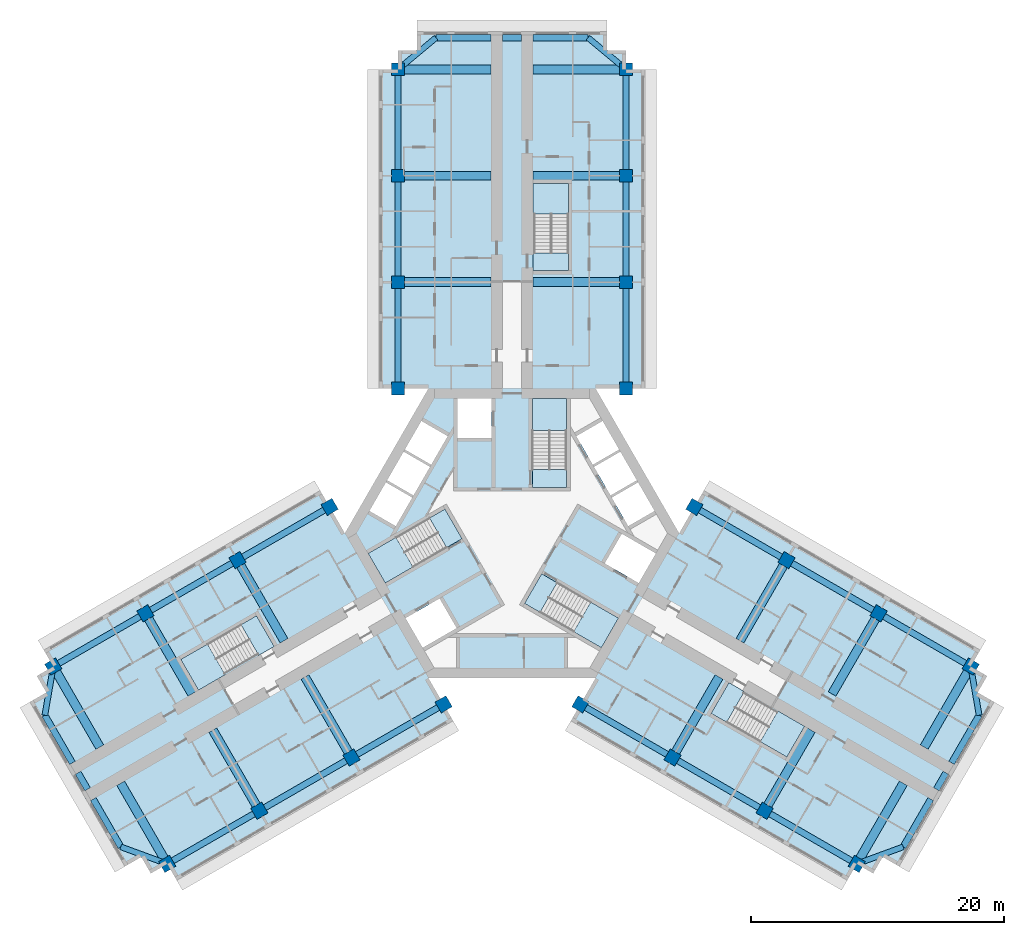
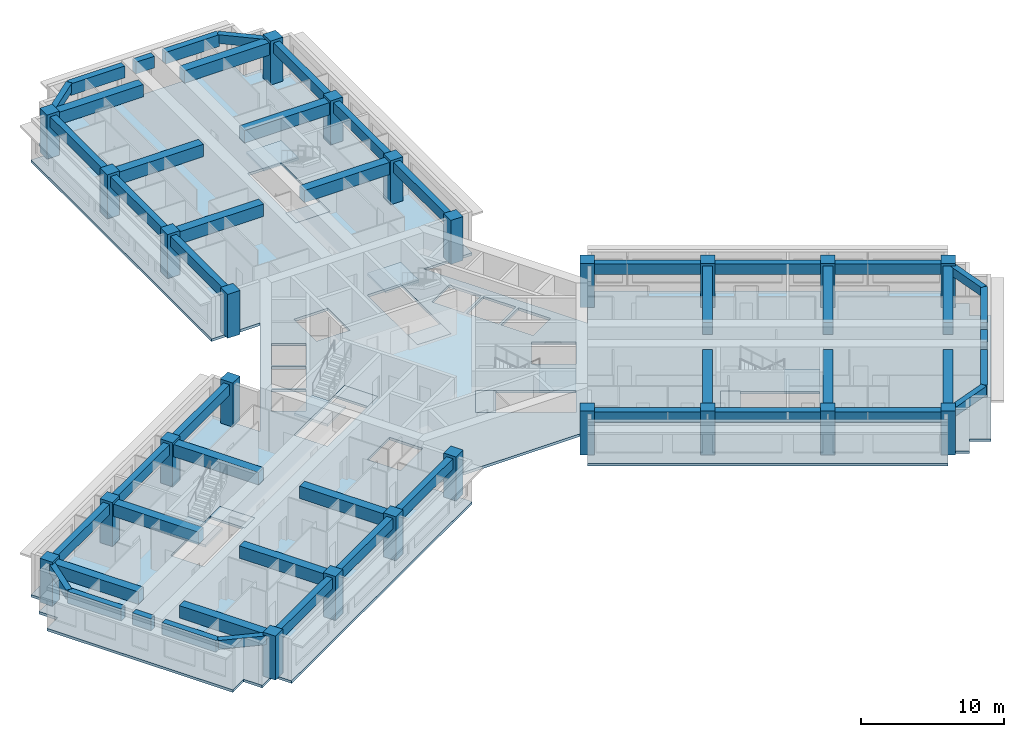
# One storey, part 1 of 12: 51 beams, 24 columns, 13 slabs, 6 elements without a shape of their own.
"""IFC4 building model written with IfcOpenShell, lengths in metres."""

import ifcopenshell
import ifcopenshell.guid

model = None  # the IFC model being written
_history = None  # IfcOwnerHistory: only IFC2X3 demands one
_inside = {}  # id of a spatial element -> (the spatial element, [elements in it])
_under = {}  # id of a project, library or spatial element -> (it, [spatial elements below it])
_declared = {}  # id of a project -> (the project, [libraries it declares])
_typed = {}  # id of a type object -> (the type object, [elements of that type])
_made_of = {}  # id of a material, layer set ... -> (it, [elements and type objects made of it])


def new_model(schema):
    """Start an empty IFC model of exactly this schema.

    Asked for "IFC4X3", IfcOpenShell would pick the latest addendum, in which some entities
    have other attributes; the version numbers below select the first issue.
    IFC2X3 requires an IfcOwnerHistory on every rooted entity: one is made here for all.
    """
    global model, _history
    if schema == "IFC4X3":
        model = ifcopenshell.file(schema_version=(4, 3, 0, 0))
    else:
        model = ifcopenshell.file(schema=schema)
    _inside.clear()
    _under.clear()
    _declared.clear()
    _typed.clear()
    _made_of.clear()
    _history = None
    if model.schema == "IFC2X3":
        org = make("IfcOrganization", Name="unknown")
        user = make(
            "IfcPersonAndOrganization",
            ThePerson=make("IfcPerson", FamilyName="unknown"),
            TheOrganization=org,
        )
        app = make(
            "IfcApplication",
            ApplicationDeveloper=org,
            Version="unknown",
            ApplicationFullName="unknown",
            ApplicationIdentifier="unknown",
        )
        _history = make(
            "IfcOwnerHistory",
            OwningUser=user,
            OwningApplication=app,
            ChangeAction="ADDED",
            CreationDate=0,
        )
    return model


def make(cls, **values):
    """One entity of the class cls with the attributes given. An attribute that is None is left unset."""
    return model.create_entity(
        cls, **{name: value for name, value in values.items() if value is not None}
    )


def rooted(cls, **values):
    """An entity with a GlobalId (a new one), such as an element, a storey or a relation."""
    return make(cls, GlobalId=ifcopenshell.guid.new(), OwnerHistory=_history, **values)


def si_unit(unit_type, name, prefix=None):
    """IfcSIUnit, for example si_unit("LENGTHUNIT", "METRE", prefix="MILLI")."""
    return make("IfcSIUnit", UnitType=unit_type, Prefix=prefix, Name=name)


def assignment(units):
    """IfcUnitAssignment: the units of a project."""
    return None if units is None else make("IfcUnitAssignment", Units=units)


def point(xyz):
    """IfcCartesianPoint."""
    return None if xyz is None else make("IfcCartesianPoint", Coordinates=xyz)


def direction(xyz):
    """IfcDirection."""
    return None if xyz is None else make("IfcDirection", DirectionRatios=xyz)


def frame(location, z_axis=None, x_axis=None):
    """IfcAxis2Placement3D, a coordinate frame: its origin and axes. An axis left out is left unset."""
    return make(
        "IfcAxis2Placement3D",
        Location=point(location),
        Axis=direction(z_axis),
        RefDirection=direction(x_axis),
    )


def frame_2d(location, x_axis=None):
    """IfcAxis2Placement2D, a coordinate frame in the plane: its origin and x axis."""
    return make(
        "IfcAxis2Placement2D", Location=point(location), RefDirection=direction(x_axis)
    )


def origin():
    """The frame at (0, 0, 0) with its axes left unset."""
    return frame((0.0, 0.0, 0.0))


def origin_2d():
    """The frame at (0, 0) in the plane with its x axis left unset."""
    return frame_2d((0.0, 0.0))


def place(relative_to, where):
    """IfcLocalPlacement: puts the frame where relative to a parent placement (None: the world)."""
    return make(
        "IfcLocalPlacement", PlacementRelTo=relative_to, RelativePlacement=where
    )


def context(
    kind, dimensions, precision=None, world=None, true_north=None, identifier=None
):
    """IfcGeometricRepresentationContext, for example the 3D "Model" context."""
    return make(
        "IfcGeometricRepresentationContext",
        ContextIdentifier=identifier,
        ContextType=kind,
        CoordinateSpaceDimension=dimensions,
        Precision=precision,
        WorldCoordinateSystem=world,
        TrueNorth=true_north,
    )


def subcontext(parent, identifier, kind, view, scale=None):
    """IfcGeometricRepresentationSubContext, for example "Body" below "Model"."""
    return make(
        "IfcGeometricRepresentationSubContext",
        ContextIdentifier=identifier,
        ContextType=kind,
        ParentContext=parent,
        TargetScale=scale,
        TargetView=view,
    )


def project(units=None, contexts=None):
    """IfcProject with its units and contexts."""
    return rooted(
        "IfcProject",
        Name="project",
        RepresentationContexts=contexts,
        UnitsInContext=assignment(units),
    )


def spatial(cls, under=None, at=None, **own):
    """A site, building, storey or space (cls), placed at a placement, below another one or the project."""
    s = rooted(cls, ObjectPlacement=at, **own)
    if under is not None:
        _under.setdefault(under.id(), (under, []))[1].append(s)
    return s


def polyline(points):
    """IfcPolyline through the points."""
    return make("IfcPolyline", Points=[point(p) for p in points])


def profile(cls, at=None, kind="AREA", **sizes):
    """A parametric profile (cls). Its sizes go by their IFC names, for example OverallWidth=200.0."""
    return make(cls, ProfileType=kind, Position=at, **sizes)


def rectangle(**sizes):
    """IfcRectangleProfileDef."""
    return profile("IfcRectangleProfileDef", **sizes)


def outline(outer, holes=None, kind="AREA"):
    """IfcArbitraryClosedProfileDef: a profile drawn as a closed curve; with holes, ...WithVoids."""
    if holes is None:
        return make("IfcArbitraryClosedProfileDef", ProfileType=kind, OuterCurve=outer)
    return make(
        "IfcArbitraryProfileDefWithVoids",
        ProfileType=kind,
        OuterCurve=outer,
        InnerCurves=holes,
    )


def extrude(swept, where, along, depth):
    """IfcExtrudedAreaSolid: the profile swept, set in the frame where, extruded along a direction by depth."""
    return make(
        "IfcExtrudedAreaSolid",
        SweptArea=swept,
        Position=where,
        ExtrudedDirection=direction(along),
        Depth=depth,
    )


def shape(context_of_items, identifier, shape_type, items):
    """IfcShapeRepresentation: the items that make up one representation, for example the "Body"."""
    return make(
        "IfcShapeRepresentation",
        ContextOfItems=context_of_items,
        RepresentationIdentifier=identifier,
        RepresentationType=shape_type,
        Items=items,
    )


def material(Name=None, Category=None):
    """IfcMaterial."""
    return make("IfcMaterial", Name=Name, Category=Category)


def layer(
    of_material, thickness, ventilated=None, Name=None, Category=None, Priority=None
):
    """IfcMaterialLayer: one layer of a wall or slab, of a material (None: an air gap)."""
    return make(
        "IfcMaterialLayer",
        Material=of_material,
        LayerThickness=thickness,
        IsVentilated=ventilated,
        Name=Name,
        Category=Category,
        Priority=Priority,
    )


def layer_set(layers, Name=None):
    """IfcMaterialLayerSet."""
    return make("IfcMaterialLayerSet", MaterialLayers=layers, LayerSetName=Name)


def material_profile(
    of_material, cross_section, Name=None, Category=None, Priority=None
):
    """IfcMaterialProfile: a cross section and its material."""
    return make(
        "IfcMaterialProfile",
        Name=Name,
        Material=of_material,
        Profile=cross_section,
        Priority=Priority,
        Category=Category,
    )


def profile_set(profiles, Name=None, composite=None):
    """IfcMaterialProfileSet."""
    return make(
        "IfcMaterialProfileSet",
        Name=Name,
        MaterialProfiles=profiles,
        CompositeProfile=composite,
    )


def made_of(thing, what):
    """Note that an element or type object is made of a material, layer set ...; save() writes the relation."""
    if what is not None:
        _made_of.setdefault(what.id(), (what, []))[1].append(thing)
    return thing


def type_object(cls, material=None, **own):
    """A type object (cls), such as IfcWallType, which elements share."""
    return made_of(rooted(cls, **own), material)


def element(
    cls,
    number,
    at=None,
    inside=None,
    cuts=None,
    type_object=None,
    material=None,
    context=None,
    identifier="Body",
    shape_type=None,
    held_by="IfcProductDefinitionShape",
    body=None,
    shapes=None,
    **own,
):
    """One element of the class cls, such as IfcWall. Its Tag is "e" and its number.

    at: its placement. inside: the storey or other place that contains it. cuts: it is an
    opening in that element (IfcRelVoidsElement). A single representation is given by context,
    identifier, shape_type and body (its items); several are given by shapes. held_by: the class
    of the entity that holds the representations. save() writes the other relations.
    """
    e = rooted(cls, Tag="e%d" % number, ObjectPlacement=at, **own)
    if body is not None:
        shapes = [shape(context, identifier, shape_type, body)]
    if shapes is not None:
        e.Representation = make(held_by, Representations=shapes)
    if inside is not None:
        _inside.setdefault(inside.id(), (inside, []))[1].append(e)
    if cuts is not None:
        rooted(
            "IfcRelVoidsElement", RelatingBuildingElement=cuts, RelatedOpeningElement=e
        )
    if type_object is not None:
        _typed.setdefault(type_object.id(), (type_object, []))[1].append(e)
    return made_of(e, material)


def aggregate(whole, parts):
    """IfcRelAggregates: a whole, such as a stair, and the parts it consists of."""
    return rooted("IfcRelAggregates", RelatingObject=whole, RelatedObjects=parts)


def save(model, path):
    """Write the relations noted so far, then the file.

    IfcRelAggregates (storeys below a building ...), IfcRelContainedInSpatialStructure (elements
    in a storey), IfcRelDefinesByType, IfcRelAssociatesMaterial and IfcRelDeclares: one each for
    every whole, place, type object, material and project.
    """
    for whole, parts in _under.values():
        aggregate(whole, parts)
    for where, things in _inside.values():
        rooted(
            "IfcRelContainedInSpatialStructure",
            RelatedElements=things,
            RelatingStructure=where,
        )
    for kind, things in _typed.values():
        rooted("IfcRelDefinesByType", RelatedObjects=things, RelatingType=kind)
    for what, things in _made_of.values():
        rooted("IfcRelAssociatesMaterial", RelatedObjects=things, RelatingMaterial=what)
    for by, libraries in _declared.values():
        rooted("IfcRelDeclares", RelatingContext=by, RelatedDefinitions=libraries)
    model.write(path)


model = new_model("IFC4")

# Units and contexts
model_context = context("Model", 3, precision=1e-05, world=origin(), true_north=direction((0.0, 1.0)))
body_context = subcontext(model_context, "Body", "Model", "MODEL_VIEW")
ifc_project = project(units=[si_unit("LENGTHUNIT", "METRE"), si_unit("AREAUNIT", "SQUARE_METRE"), si_unit("VOLUMEUNIT", "CUBIC_METRE"), si_unit("PLANEANGLEUNIT", "RADIAN"), si_unit("MASSUNIT", "GRAM", prefix="KILO")], contexts=[model_context])

# Site, building, storey
site_placement = place(None, origin())
site = spatial("IfcSite", under=ifc_project, at=site_placement, CompositionType="ELEMENT")
building_placement = place(site_placement, origin())
building = spatial("IfcBuilding", under=site, at=building_placement, Name="Impinga Residences", CompositionType="ELEMENT")
storey_placement = place(building_placement, frame((0.0, 0.0, 173.5)))
storey = spatial("IfcBuildingStorey", under=building, at=storey_placement, Name="L43", CompositionType="ELEMENT", Elevation=173.5)

# Columns
ifc_material_1 = material(Name="Concrete C60/75", Category="concrete")
ifc_material_profile_1 = material_profile(ifc_material_1, rectangle(XDim=1.0, YDim=1.0, at=origin_2d()), Name="RC 1000x1000")
ifc_profile_set_1 = profile_set([ifc_material_profile_1], Name="Concrete C60/75")
column_type = type_object("IfcColumnType", Name="C3 1000x1000 column", PredefinedType="COLUMN", material=ifc_profile_set_1)
for number, where, z_axis, x_axis, name in (
    (1, (-9.0, 11.431640625, 0.0), (0.0, 0.0, 1.0), (1.0, 0.0, 0.0), "Column C3 N1/NA L43"),
    (2, (9.0, 11.431640625, 0.0), (0.0, 0.0, 1.0), (1.0, 0.0, 0.0), "Column C3 N1/NF L43"),
    (3, (-9.0, 19.83154296875, 0.0), (0.0, 0.0, 1.0), (1.0, 0.0, 0.0), "Column C3 N2/NA L43"),
    (4, (9.0, 19.83154296875, 0.0), (0.0, 0.0, 1.0), (1.0, 0.0, 0.0), "Column C3 N2/NF L43"),
    (5, (-9.0, 28.2314453125, 0.0), (0.0, 0.0, 1.0), (1.0, 0.0, 0.0), "Column C3 N3/NA L43"),
    (6, (9.0, 28.2314453125, 0.0), (0.0, 0.0, 1.0), (1.0, 0.0, 0.0), "Column C3 N3/NF L43"),
    (7, (-9.0, 36.631591796875, 0.0), (0.0, 0.0, 1.0), (1.0, 0.0, 0.0), "Column C3 N4/NA L43"),
    (8, (9.0, 36.631591796875, 0.0), (0.0, 0.0, 1.0), (1.0, 0.0, 0.0), "Column C3 N4/NF L43"),
    (9, (-5.39990234375, -13.510009765625, 0.0), (0.0, 0.0, 1.0), (-0.5, 0.866025403784, 0.0), "Column C3 W1/WA L43"),
    (10, (-14.39990234375, 2.078369140625, 0.0), (0.0, 0.0, 1.0), (-0.5, 0.866025403784, 0.0), "Column C3 W1/WF L43"),
    (11, (-12.674560546875, -17.7099609375, 0.0), (0.0, 0.0, 1.0), (-0.5, 0.866025403784, 0.0), "Column C3 W2/WA L43"),
    (12, (-21.674560546875, -2.12158203125, 0.0), (0.0, 0.0, 1.0), (-0.5, 0.866025403784, 0.0), "Column C3 W2/WF L43"),
    (13, (-19.94921875, -21.909912109375, 0.0), (0.0, 0.0, 1.0), (-0.5, 0.866025403784, 0.0), "Column C3 W3/WA L43"),
    (14, (-28.94921875, -6.321533203125, 0.0), (0.0, 0.0, 1.0), (-0.5, 0.866025403784, 0.0), "Column C3 W3/WF L43"),
    (15, (-27.223876953125, -26.110107421875, 0.0), (0.0, 0.0, 1.0), (-0.5, 0.866025403784, 0.0), "Column C3 W4/WA L43"),
    (16, (-36.223876953125, -10.521484375, 0.0), (0.0, 0.0, 1.0), (-0.5, 0.866025403784, 0.0), "Column C3 W4/WF L43"),
    (17, (14.39990234375, 2.078369140625, 0.0), (0.0, 0.0, 1.0), (-0.5, -0.866025403784, 0.0), "Column C3 E1/EA L43"),
    (18, (5.39990234375, -13.510009765625, 0.0), (0.0, 0.0, 1.0), (-0.5, -0.866025403784, 0.0), "Column C3 E1/EF L43"),
    (19, (21.674560546875, -2.12158203125, 0.0), (0.0, 0.0, 1.0), (-0.5, -0.866025403784, 0.0), "Column C3 E2/EA L43"),
    (20, (12.674560546875, -17.7099609375, 0.0), (0.0, 0.0, 1.0), (-0.5, -0.866025403784, 0.0), "Column C3 E2/EF L43"),
    (21, (28.94921875, -6.321533203125, 0.0), (0.0, 0.0, 1.0), (-0.5, -0.866025403784, 0.0), "Column C3 E3/EA L43"),
    (22, (19.94921875, -21.909912109375, 0.0), (0.0, 0.0, 1.0), (-0.5, -0.866025403784, 0.0), "Column C3 E3/EF L43"),
    (23, (36.223876953125, -10.521484375, 0.0), (0.0, 0.0, 1.0), (-0.5, -0.866025403784, 0.0), "Column C3 E4/EA L43"),
    (24, (27.223876953125, -26.110107421875, 0.0), (0.0, 0.0, 1.0), (-0.5, -0.866025403784, 0.0), "Column C3 E4/EF L43"),
):
    element("IfcColumn", number, at=place(storey_placement, frame(where, z_axis=z_axis, x_axis=x_axis)), inside=storey, type_object=column_type, Name=name, PredefinedType="COLUMN", context=body_context, shape_type="SweptSolid", body=[
        extrude(rectangle(XDim=1.0, YDim=1.0, at=origin_2d()), origin(), (0.0, 0.0, 1.0), 3.75),
    ])

# Beams
ifc_material_profile_2 = material_profile(ifc_material_1, rectangle(XDim=0.449951171875, YDim=0.75, at=origin_2d()), Name="RC 450x750")
ifc_profile_set_2 = profile_set([ifc_material_profile_2], Name="Concrete C60/75")
beam_type_1 = type_object("IfcBeamType", Name="CB1 450x750 wing end cantilever beam", PredefinedType="BEAM", material=ifc_profile_set_2)
for number, where, z_axis, x_axis, name in (
    (25, (-9.0, 36.631591796875, 3.155029296875), (0.768221279597, 0.640184399664, 0.0), (-0.640184399664, 0.768221279597, 0.0), "Beam CB1 NB N4-NX level L44"),
    (26, (9.0, 36.631591796875, 3.155029296875), (-0.768221279597, 0.640184399664, 0.0), (-0.640184399664, -0.768221279597, 0.0), "Beam CB1 NE N4-NX level L44"),
    (27, (-27.223876953125, -26.110107421875, 3.155029296875), (-0.938520178725, 0.345224382289, 0.0), (-0.345224382289, -0.938520178725, 0.0), "Beam CB1 WB W4-WX level L44"),
):
    element("IfcBeam", number, at=place(storey_placement, frame(where, z_axis=z_axis, x_axis=x_axis)), inside=storey, type_object=beam_type_1, Name=name, PredefinedType="BEAM", context=body_context, shape_type="SweptSolid", body=[
        extrude(rectangle(XDim=0.449951171875, YDim=0.75, at=origin_2d()), origin(), (0.0, 0.0, 1.0), 3.905029296875),
    ])
for number, where, z_axis, x_axis, name in (
    (28, (-36.223876953125, -10.521484375, 3.155029296875), (-0.170296298948, -0.985392901621, 0.0), (0.985392901621, -0.170296298948, 0.0), "Beam CB1 WE W4-WX level L44"),
    (29, (36.223876953125, -10.521484375, 3.155029296875), (0.170296298948, -0.985392901621, 0.0), (0.985392901621, 0.170296298948, 0.0), "Beam CB1 EB E4-EX level L44"),
):
    element("IfcBeam", number, at=place(storey_placement, frame(where, z_axis=z_axis, x_axis=x_axis)), inside=storey, type_object=beam_type_1, Name=name, PredefinedType="BEAM", context=body_context, shape_type="SweptSolid", body=[
        extrude(rectangle(XDim=0.449951171875, YDim=0.75, at=origin_2d()), origin(), (0.0, 0.0, 1.0), 3.9052734375),
    ])
beam_1_placement = place(storey_placement, frame((27.223876953125, -26.110107421875, 3.155029296875), z_axis=(0.938520178725, 0.345224382289, 0.0), x_axis=(-0.345224382289, 0.938520178725, 0.0)))
element("IfcBeam", 30, at=beam_1_placement, inside=storey, type_object=beam_type_1, Name="Beam CB1 EE E4-EX level L44", PredefinedType="BEAM", context=body_context, shape_type="SweptSolid", body=[
    extrude(rectangle(XDim=0.449951171875, YDim=0.75, at=origin_2d()), origin(), (0.0, 0.0, 1.0), 3.905029296875),
])
ifc_material_profile_3 = material_profile(ifc_material_1, rectangle(XDim=0.699951171875, YDim=1.050048828125, at=origin_2d()), Name="RC 700x1050")
ifc_profile_set_3 = profile_set([ifc_material_profile_3], Name="Concrete C60/75")
beam_type_2 = type_object("IfcBeamType", Name="CG1 700x1050 cross girder on a wing bay line", PredefinedType="BEAM", material=ifc_profile_set_3)
for number, where, z_axis, x_axis, name in (
    (31, (-1.64990234375, 19.83154296875, 3.0048828125), (-1.0, 0.0, 0.0), (0.0, -1.0, 0.0), "Beam CG1 N2 NC/NA level L44"),
    (32, (-1.64990234375, 28.2314453125, 3.0048828125), (-1.0, 0.0, 0.0), (0.0, -1.0, 0.0), "Beam CG1 N3 NC/NA level L44"),
    (33, (-1.64990234375, 36.631591796875, 3.0048828125), (-1.0, 0.0, 0.0), (0.0, -1.0, 0.0), "Beam CG1 N4 NC/NA level L44"),
    (34, (1.64990234375, 19.83154296875, 3.0048828125), (1.0, 0.0, 0.0), (0.0, 1.0, 0.0), "Beam CG1 N2 NC/NF level L44"),
    (35, (1.64990234375, 28.2314453125, 3.0048828125), (1.0, 0.0, 0.0), (0.0, 1.0, 0.0), "Beam CG1 N3 NC/NF level L44"),
    (36, (1.64990234375, 36.631591796875, 3.0048828125), (1.0, 0.0, 0.0), (0.0, 1.0, 0.0), "Beam CG1 N4 NC/NF level L44"),
    (37, (-16.349609375, -11.3447265625, 3.0048828125), (0.500008066151, -0.86602074674, 0.0), (0.86602074674, 0.500008066151, 0.0), "Beam CG1 W2 WC/WA level L44"),
    (38, (-23.624267578125, -15.544677734375, 3.0048828125), (0.500008066151, -0.86602074674, 0.0), (0.86602074674, 0.500008066151, 0.0), "Beam CG1 W3 WC/WA level L44"),
    (39, (-30.89892578125, -19.74462890625, 3.0048828125), (0.499993683172, -0.866029050776, 0.0), (0.866029050776, 0.499993683172, 0.0), "Beam CG1 W4 WC/WA level L44"),
    (40, (-17.99951171875, -8.48681640625, 3.0048828125), (-0.500008066151, 0.86602074674, 0.0), (-0.86602074674, -0.500008066151, 0.0), "Beam CG1 W2 WC/WF level L44"),
    (41, (-25.274169921875, -12.686767578125, 3.0048828125), (-0.500008066151, 0.86602074674, 0.0), (-0.86602074674, -0.500008066151, 0.0), "Beam CG1 W3 WC/WF level L44"),
    (42, (-32.548828125, -16.88671875, 3.0048828125), (-0.500008066151, 0.86602074674, 0.0), (-0.86602074674, -0.500008066151, 0.0), "Beam CG1 W4 WC/WF level L44"),
    (43, (17.99951171875, -8.48681640625, 3.0048828125), (0.500008066151, 0.86602074674, 0.0), (-0.86602074674, 0.500008066151, 0.0), "Beam CG1 E2 EC/EA level L44"),
    (44, (25.274169921875, -12.686767578125, 3.0048828125), (0.500008066151, 0.86602074674, 0.0), (-0.86602074674, 0.500008066151, 0.0), "Beam CG1 E3 EC/EA level L44"),
    (45, (32.548828125, -16.88671875, 3.0048828125), (0.500008066151, 0.86602074674, 0.0), (-0.86602074674, 0.500008066151, 0.0), "Beam CG1 E4 EC/EA level L44"),
    (46, (16.349609375, -11.3447265625, 3.0048828125), (-0.500008066151, -0.86602074674, 0.0), (0.86602074674, -0.500008066151, 0.0), "Beam CG1 E2 EC/EF level L44"),
    (47, (23.624267578125, -15.544677734375, 3.0048828125), (-0.500008066151, -0.86602074674, 0.0), (0.86602074674, -0.500008066151, 0.0), "Beam CG1 E3 EC/EF level L44"),
    (48, (30.89892578125, -19.74462890625, 3.0048828125), (-0.499993683172, -0.866029050776, 0.0), (0.866029050776, -0.499993683172, 0.0), "Beam CG1 E4 EC/EF level L44"),
):
    element("IfcBeam", number, at=place(storey_placement, frame(where, z_axis=z_axis, x_axis=x_axis)), inside=storey, type_object=beam_type_2, Name=name, PredefinedType="BEAM", context=body_context, shape_type="SweptSolid", body=[
        extrude(rectangle(XDim=0.699951171875, YDim=1.050048828125, at=origin_2d()), origin(), (0.0, 0.0, 1.0), 7.35009765625),
    ])
ifc_material_profile_4 = material_profile(ifc_material_1, rectangle(XDim=0.5, YDim=1.0, at=origin_2d()), Name="RC 500x1000")
ifc_profile_set_4 = profile_set([ifc_material_profile_4], Name="Concrete C60/75")
beam_type_3 = type_object("IfcBeamType", Name="EB1 500x1000 wing end beam", PredefinedType="BEAM", material=ifc_profile_set_4)
beam_2_placement = place(storey_placement, frame((-6.0, 39.131591796875, 3.030029296875), z_axis=(1.0, 0.0, 0.0), x_axis=(0.0, 1.0, 0.0)))
element("IfcBeam", 49, at=beam_2_placement, inside=storey, type_object=beam_type_3, Name="Beam EB1 NX3 level L44", PredefinedType="BEAM", context=body_context, shape_type="SweptSolid", body=[
    extrude(rectangle(XDim=0.5, YDim=1.0, at=origin_2d()), origin(), (0.0, 0.0, 1.0), 4.35009765625),
])
beam_3_placement = place(storey_placement, frame((-0.75, 39.131591796875, 3.030029296875), z_axis=(1.0, 0.0, 0.0), x_axis=(0.0, 1.0, 0.0)))
element("IfcBeam", 50, at=beam_3_placement, inside=storey, type_object=beam_type_3, Name="Beam EB1 NX3 level L44", PredefinedType="BEAM", context=body_context, shape_type="SweptSolid", body=[
    extrude(rectangle(XDim=0.5, YDim=1.0, at=origin_2d()), origin(), (0.0, 0.0, 1.0), 1.5),
])
for number, where, z_axis, x_axis, name in (
    (51, (1.64990234375, 39.131591796875, 3.030029296875), (1.0, 0.0, 0.0), (0.0, 1.0, 0.0), "Beam EB1 NX3 level L44"),
    (52, (-30.888916015625, -24.761962890625, 3.030029296875), (-0.499996127374, 0.866027639635, 0.0), (-0.866027639635, -0.499996127374, 0.0), "Beam EB1 WX3 level L44"),
):
    element("IfcBeam", number, at=place(storey_placement, frame(where, z_axis=z_axis, x_axis=x_axis)), inside=storey, type_object=beam_type_3, Name=name, PredefinedType="BEAM", context=body_context, shape_type="SweptSolid", body=[
        extrude(rectangle(XDim=0.5, YDim=1.0, at=origin_2d()), origin(), (0.0, 0.0, 1.0), 4.35009765625),
    ])
beam_4_placement = place(storey_placement, frame((-33.513916015625, -20.21533203125, 3.030029296875), z_axis=(-0.499990139034, 0.866031096941, 0.0), x_axis=(-0.866031096941, -0.499990139034, 0.0)))
element("IfcBeam", 53, at=beam_4_placement, inside=storey, type_object=beam_type_3, Name="Beam EB1 WX3 level L44", PredefinedType="BEAM", context=body_context, shape_type="SweptSolid", body=[
    extrude(rectangle(XDim=0.5, YDim=1.0, at=origin_2d()), origin(), (0.0, 0.0, 1.0), 1.5),
])
for number, where, z_axis, x_axis, name in (
    (54, (-34.7138671875, -18.13671875, 3.030029296875), (-0.500020430026, 0.866013608182, 0.0), (-0.866013608182, -0.500020430026, 0.0), "Beam EB1 WX3 level L44"),
    (55, (36.888916015625, -14.36962890625, 3.030029296875), (-0.500020430026, -0.866013608182, 0.0), (0.866013608182, -0.500020430026, 0.0), "Beam EB1 EX3 level L44"),
):
    element("IfcBeam", number, at=place(storey_placement, frame(where, z_axis=z_axis, x_axis=x_axis)), inside=storey, type_object=beam_type_3, Name=name, PredefinedType="BEAM", context=body_context, shape_type="SweptSolid", body=[
        extrude(rectangle(XDim=0.5, YDim=1.0, at=origin_2d()), origin(), (0.0, 0.0, 1.0), 4.349853515625),
    ])
beam_5_placement = place(storey_placement, frame((34.263916015625, -18.916259765625, 3.030029296875), z_axis=(-0.499990139034, -0.866031096941, 0.0), x_axis=(0.866031096941, -0.499990139034, 0.0)))
element("IfcBeam", 56, at=beam_5_placement, inside=storey, type_object=beam_type_3, Name="Beam EB1 EX3 level L44", PredefinedType="BEAM", context=body_context, shape_type="SweptSolid", body=[
    extrude(rectangle(XDim=0.5, YDim=1.0, at=origin_2d()), origin(), (0.0, 0.0, 1.0), 1.5),
])
beam_6_placement = place(storey_placement, frame((33.06396484375, -20.99462890625, 3.030029296875), z_axis=(-0.499996127374, -0.866027639635, 0.0), x_axis=(0.866027639635, -0.499996127374, 0.0)))
element("IfcBeam", 57, at=beam_6_placement, inside=storey, type_object=beam_type_3, Name="Beam EB1 EX3 level L44", PredefinedType="BEAM", context=body_context, shape_type="SweptSolid", body=[
    extrude(rectangle(XDim=0.5, YDim=1.0, at=origin_2d()), origin(), (0.0, 0.0, 1.0), 4.35009765625),
])
ifc_material_profile_5 = material_profile(ifc_material_1, rectangle(XDim=0.5, YDim=0.89990234375, at=origin_2d()), Name="RC 500x900")
ifc_profile_set_5 = profile_set([ifc_material_profile_5], Name="Concrete C60/75")
beam_type_4 = type_object("IfcBeamType", Name="SB1 500x900 perimeter spandrel beam", PredefinedType="SPANDREL", material=ifc_profile_set_5)
for number, where, z_axis, x_axis, name in (
    (58, (-9.0, 11.431640625, 3.080078125), (0.0, 1.0, 0.0), (-1.0, 0.0, 0.0), "Beam SB1 NA N1-N2 level L44"),
    (59, (-9.0, 19.83154296875, 3.080078125), (0.0, 1.0, 0.0), (-1.0, 0.0, 0.0), "Beam SB1 NA N2-N3 level L44"),
):
    element("IfcBeam", number, at=place(storey_placement, frame(where, z_axis=z_axis, x_axis=x_axis)), inside=storey, type_object=beam_type_4, Name=name, PredefinedType="SPANDREL", context=body_context, shape_type="SweptSolid", body=[
        extrude(rectangle(XDim=0.5, YDim=0.89990234375, at=origin_2d()), origin(), (0.0, 0.0, 1.0), 8.39990234375),
    ])
beam_7_placement = place(storey_placement, frame((-9.0, 28.2314453125, 3.080078125), z_axis=(0.0, 1.0, 0.0), x_axis=(-1.0, 0.0, 0.0)))
element("IfcBeam", 60, at=beam_7_placement, inside=storey, type_object=beam_type_4, Name="Beam SB1 NA N3-N4 level L44", PredefinedType="SPANDREL", context=body_context, shape_type="SweptSolid", body=[
    extrude(rectangle(XDim=0.5, YDim=0.89990234375, at=origin_2d()), origin(), (0.0, 0.0, 1.0), 8.400146484375),
])
for number, where, z_axis, x_axis, name in (
    (61, (9.0, 11.431640625, 3.080078125), (0.0, 1.0, 0.0), (-1.0, 0.0, 0.0), "Beam SB1 NF N1-N2 level L44"),
    (62, (9.0, 19.83154296875, 3.080078125), (0.0, 1.0, 0.0), (-1.0, 0.0, 0.0), "Beam SB1 NF N2-N3 level L44"),
):
    element("IfcBeam", number, at=place(storey_placement, frame(where, z_axis=z_axis, x_axis=x_axis)), inside=storey, type_object=beam_type_4, Name=name, PredefinedType="SPANDREL", context=body_context, shape_type="SweptSolid", body=[
        extrude(rectangle(XDim=0.5, YDim=0.89990234375, at=origin_2d()), origin(), (0.0, 0.0, 1.0), 8.39990234375),
    ])
beam_8_placement = place(storey_placement, frame((9.0, 28.2314453125, 3.080078125), z_axis=(0.0, 1.0, 0.0), x_axis=(-1.0, 0.0, 0.0)))
element("IfcBeam", 63, at=beam_8_placement, inside=storey, type_object=beam_type_4, Name="Beam SB1 NF N3-N4 level L44", PredefinedType="SPANDREL", context=body_context, shape_type="SweptSolid", body=[
    extrude(rectangle(XDim=0.5, YDim=0.89990234375, at=origin_2d()), origin(), (0.0, 0.0, 1.0), 8.400146484375),
])
for number, where, z_axis, x_axis, name in (
    (64, (-5.39990234375, -13.510009765625, 3.080078125), (-0.86602925447, -0.499993330357, 0.0), (0.499993330357, -0.86602925447, 0.0), "Beam SB1 WA W1-W2 level L44"),
    (65, (-12.674560546875, -17.7099609375, 3.080078125), (-0.86602925447, -0.499993330357, 0.0), (0.499993330357, -0.86602925447, 0.0), "Beam SB1 WA W2-W3 level L44"),
):
    element("IfcBeam", number, at=place(storey_placement, frame(where, z_axis=z_axis, x_axis=x_axis)), inside=storey, type_object=beam_type_4, Name=name, PredefinedType="SPANDREL", context=body_context, shape_type="SweptSolid", body=[
        extrude(rectangle(XDim=0.5, YDim=0.89990234375, at=origin_2d()), origin(), (0.0, 0.0, 1.0), 8.39990234375),
    ])
beam_9_placement = place(storey_placement, frame((-19.94921875, -21.909912109375, 3.080078125), z_axis=(-0.866016669275, -0.500015128309, 0.0), x_axis=(0.500015128309, -0.866016669275, 0.0)))
element("IfcBeam", 66, at=beam_9_placement, inside=storey, type_object=beam_type_4, Name="Beam SB1 WA W3-W4 level L44", PredefinedType="SPANDREL", context=body_context, shape_type="SweptSolid", body=[
    extrude(rectangle(XDim=0.5, YDim=0.89990234375, at=origin_2d()), origin(), (0.0, 0.0, 1.0), 8.400146484375),
])
for number, where, z_axis, x_axis, name in (
    (67, (-14.39990234375, 2.078369140625, 3.080078125), (-0.86602925447, -0.499993330357, 0.0), (0.499993330357, -0.86602925447, 0.0), "Beam SB1 WF W1-W2 level L44"),
    (68, (-21.674560546875, -2.12158203125, 3.080078125), (-0.86602925447, -0.499993330357, 0.0), (0.499993330357, -0.86602925447, 0.0), "Beam SB1 WF W2-W3 level L44"),
    (69, (-28.94921875, -6.321533203125, 3.080078125), (-0.86602925447, -0.499993330357, 0.0), (0.499993330357, -0.86602925447, 0.0), "Beam SB1 WF W3-W4 level L44"),
    (70, (14.39990234375, 2.078369140625, 3.080078125), (0.86602925447, -0.499993330357, 0.0), (0.499993330357, 0.86602925447, 0.0), "Beam SB1 EA E1-E2 level L44"),
    (71, (21.674560546875, -2.12158203125, 3.080078125), (0.86602925447, -0.499993330357, 0.0), (0.499993330357, 0.86602925447, 0.0), "Beam SB1 EA E2-E3 level L44"),
    (72, (28.94921875, -6.321533203125, 3.080078125), (0.86602925447, -0.499993330357, 0.0), (0.499993330357, 0.86602925447, 0.0), "Beam SB1 EA E3-E4 level L44"),
    (73, (5.39990234375, -13.510009765625, 3.080078125), (0.86602925447, -0.499993330357, 0.0), (0.499993330357, 0.86602925447, 0.0), "Beam SB1 EF E1-E2 level L44"),
    (74, (12.674560546875, -17.7099609375, 3.080078125), (0.86602925447, -0.499993330357, 0.0), (0.499993330357, 0.86602925447, 0.0), "Beam SB1 EF E2-E3 level L44"),
):
    element("IfcBeam", number, at=place(storey_placement, frame(where, z_axis=z_axis, x_axis=x_axis)), inside=storey, type_object=beam_type_4, Name=name, PredefinedType="SPANDREL", context=body_context, shape_type="SweptSolid", body=[
        extrude(rectangle(XDim=0.5, YDim=0.89990234375, at=origin_2d()), origin(), (0.0, 0.0, 1.0), 8.39990234375),
    ])
beam_10_placement = place(storey_placement, frame((19.94921875, -21.909912109375, 3.080078125), z_axis=(0.866016669275, -0.500015128309, 0.0), x_axis=(0.500015128309, 0.866016669275, 0.0)))
element("IfcBeam", 75, at=beam_10_placement, inside=storey, type_object=beam_type_4, Name="Beam SB1 EF E3-E4 level L44", PredefinedType="SPANDREL", context=body_context, shape_type="SweptSolid", body=[
    extrude(rectangle(XDim=0.5, YDim=0.89990234375, at=origin_2d()), origin(), (0.0, 0.0, 1.0), 8.400146484375),
])

# Slab
ifc_layer_1 = layer(ifc_material_1, 0.219970703125)
ifc_layer_set_1 = layer_set([ifc_layer_1], Name="Concrete C60/75")
slab_type_1 = type_object("IfcSlabType", Name="FS1 tower floor slab 220", PredefinedType="FLOOR", material=ifc_layer_set_1)
slab_1_placement = place(storey_placement, frame((0.0, 0.0, -0.219970703125)))
element("IfcSlab", 76, at=slab_1_placement, inside=storey, type_object=slab_type_1, Name="Floor slab FS1 L43", PredefinedType="FLOOR", context=body_context, shape_type="SweptSolid", body=[
    extrude(outline(polyline([(-27.223876953125, -26.110107421875), (-28.52294921875, -26.860107421875), (-29.27294921875, -25.56103515625), (-30.572021484375, -26.31103515625), (-38.072021484375, -13.320556640625), (-36.77294921875, -12.570556640625), (-37.52294921875, -11.271484375), (-36.223876953125, -10.521484375), (-36.973876953125, -9.222412109375), (-15.14990234375, 3.37744140625), (-13.199951171875, 0.0), (-6.60009765625, 11.431640625), (-10.5, 11.431640625), (-10.5, 36.631591796875), (-9.0, 36.631591796875), (-9.0, 38.131591796875), (-7.5, 38.131591796875), (-7.5, 39.631591796875), (7.5, 39.631591796875), (7.5, 38.131591796875), (9.0, 38.131591796875), (9.0, 36.631591796875), (10.5, 36.631591796875), (10.5, 11.431640625), (6.60009765625, 11.431640625), (13.199951171875, 0.0), (15.14990234375, 3.37744140625), (36.973876953125, -9.222412109375), (36.223876953125, -10.521484375), (37.52294921875, -11.271484375), (36.77294921875, -12.570556640625), (38.072021484375, -13.320556640625), (30.572021484375, -26.31103515625), (29.27294921875, -25.56103515625), (28.52294921875, -26.860107421875), (27.223876953125, -26.110107421875), (26.473876953125, -27.408935546875), (4.64990234375, -14.80908203125), (9.900146484375, -5.7158203125), (6.60009765625, -11.431640625), (-6.60009765625, -11.431640625), (-9.900146484375, -5.7158203125), (-4.64990234375, -14.80908203125), (-26.473876953125, -27.408935546875), (-27.223876953125, -26.110107421875)]), holes=[polyline([(-18.779052734375, -8.936767578125), (-18.8291015625, -8.850341796875), (-18.8291015625, -8.850341796875), (-20.178955078125, -6.511962890625), (-21.391357421875, -7.2119140625), (-21.391357421875, -7.2119140625), (-26.154541015625, -9.9619140625), (-24.8046875, -12.30029296875), (-20.04150390625, -9.55029296875), (-19.991455078125, -9.63671875), (-18.779052734375, -8.936767578125)]), polyline([(-4.37109375, -7.489013671875), (-5.72119140625, -5.150634765625), (-8.4072265625, -6.701416015625), (-7.05712890625, -9.039794921875), (-4.37109375, -7.489013671875)]), polyline([(-3.943603515625, -0.429443359375), (-5.293701171875, 1.908935546875), (-11.357177734375, -1.591796875), (-10.007080078125, -3.93017578125), (-3.943603515625, -0.429443359375)]), polyline([(-7.878662109375, 2.816650390625), (-9.957275390625, 4.016845703125), (-11.257080078125, 1.76513671875), (-9.1787109375, 0.56494140625), (-7.878662109375, 2.816650390625)]), polyline([(-6.478759765625, 5.24169921875), (-8.55712890625, 6.441650390625), (-9.857177734375, 4.18994140625), (-7.77880859375, 2.989990234375), (-6.478759765625, 5.24169921875)]), polyline([(4.300048828125, 3.6298828125), (4.300048828125, 10.631591796875), (1.60009765625, 10.631591796875), (1.60009765625, 3.6298828125), (4.300048828125, 3.6298828125)]), polyline([(-6.378662109375, 5.414794921875), (-5.07861328125, 7.66650390625), (-7.1572265625, 8.866455078125), (-8.457275390625, 6.61474609375), (-6.378662109375, 5.414794921875)]), polyline([(-4.300048828125, 7.530029296875), (-1.60009765625, 7.530029296875), (-1.60009765625, 10.631591796875), (-4.300048828125, 10.631591796875), (-4.300048828125, 7.530029296875)]), polyline([(4.449951171875, 20.7314453125), (4.449951171875, 22.131591796875), (4.449951171875, 27.631591796875), (1.75, 27.631591796875), (1.75, 22.131591796875), (1.64990234375, 22.131591796875), (1.64990234375, 20.7314453125), (1.75, 20.7314453125), (4.449951171875, 20.7314453125)]), polyline([(15.72900390625, -14.219482421875), (21.70458984375, -17.669677734375), (23.0546875, -15.331298828125), (18.29150390625, -12.581298828125), (18.341552734375, -12.49462890625), (17.129150390625, -11.794677734375), (15.72900390625, -14.219482421875)]), polyline([(2.34375, -3.20068359375), (0.99365234375, -5.538818359375), (7.05712890625, -9.039794921875), (8.4072265625, -6.701416015625), (2.34375, -3.20068359375)]), polyline([(7.3212890625, -2.37939453125), (10.007080078125, -3.93017578125), (11.357177734375, -1.591796875), (8.671142578125, -0.041015625), (7.3212890625, -2.37939453125)]), polyline([(7.878662109375, 2.816650390625), (9.1787109375, 0.56494140625), (11.257080078125, 1.76513671875), (9.957275390625, 4.016845703125), (7.878662109375, 2.816650390625)]), polyline([(6.478759765625, 5.24169921875), (7.77880859375, 2.989990234375), (9.857177734375, 4.18994140625), (8.55712890625, 6.441650390625), (6.478759765625, 5.24169921875)]), polyline([(6.378662109375, 5.414794921875), (8.457275390625, 6.61474609375), (7.1572265625, 8.866455078125), (5.07861328125, 7.66650390625), (6.378662109375, 5.414794921875)])]), origin(), (0.0, 0.0, 1.0), 0.219970703125),
])

# Stair, slabs
ifc_material_2 = material(Name="Concrete C40/50", Category="concrete")
stair_type_1 = type_object("IfcStairType", Name="STR core stair 3750 storey, 24 risers", PredefinedType="HALF_TURN_STAIR", material=ifc_material_2)
stair_1_placement = place(storey_placement, origin())
stair_1 = element("IfcStair", 77, at=stair_1_placement, inside=storey, type_object=stair_type_1, Name="Stair ST1 L43", PredefinedType="HALF_TURN_STAIR")
ifc_layer_2 = layer(ifc_material_2, 0.199951171875)
ifc_layer_set_2 = layer_set([ifc_layer_2], Name="Concrete C40/50")
slab_type_2 = type_object("IfcSlabType", Name="LS1 stair landing 200", PredefinedType="LANDING", material=ifc_layer_set_2)
slab_2_placement = place(storey_placement, frame((0.0, 0.0, -0.199951171875)))
slab_2 = element("IfcSlab", 78, at=slab_2_placement, type_object=slab_type_2, Name="ST1 landing 1", PredefinedType="LANDING", context=body_context, shape_type="SweptSolid", body=[
    extrude(outline(polyline([(1.60009765625, 3.6298828125), (4.300048828125, 3.6298828125), (4.300048828125, 5.0400390625), (1.60009765625, 5.0400390625), (1.60009765625, 3.6298828125)])), origin(), (0.0, 0.0, 1.0), 0.199951171875),
])
slab_3_placement = place(storey_placement, frame((0.0, 0.0, 1.675048828125)))
slab_3 = element("IfcSlab", 79, at=slab_3_placement, type_object=slab_type_2, Name="ST1 landing 2", PredefinedType="LANDING", context=body_context, shape_type="SweptSolid", body=[
    extrude(outline(polyline([(1.60009765625, 8.10009765625), (4.300048828125, 8.10009765625), (4.300048828125, 10.631591796875), (1.60009765625, 10.631591796875), (1.60009765625, 8.10009765625)])), origin(), (0.0, 0.0, 1.0), 0.199951171875),
])
aggregate(stair_1, [slab_2, slab_3])

stair_2_placement = place(storey_placement, origin())
stair_2 = element("IfcStair", 80, at=stair_2_placement, inside=storey, type_object=stair_type_1, Name="Stair ST2 L43", PredefinedType="HALF_TURN_STAIR")
slab_4_placement = place(storey_placement, frame((0.0, 0.0, -0.199951171875)))
slab_4 = element("IfcSlab", 81, at=slab_4_placement, type_object=slab_type_2, Name="ST2 landing 1", PredefinedType="LANDING", context=body_context, shape_type="SweptSolid", body=[
    extrude(outline(polyline([(-3.943603515625, -0.429443359375), (-5.293701171875, 1.908935546875), (-6.5146484375, 1.203857421875), (-5.164794921875, -1.13427734375), (-3.943603515625, -0.429443359375)])), origin(), (0.0, 0.0, 1.0), 0.199951171875),
])
slab_5_placement = place(storey_placement, frame((0.0, 0.0, 1.675048828125)))
slab_5 = element("IfcSlab", 82, at=slab_5_placement, type_object=slab_type_2, Name="ST2 landing 2", PredefinedType="LANDING", context=body_context, shape_type="SweptSolid", body=[
    extrude(outline(polyline([(-7.814697265625, -2.664306640625), (-9.164794921875, -0.326171875), (-11.357177734375, -1.591796875), (-10.007080078125, -3.93017578125), (-7.814697265625, -2.664306640625)])), origin(), (0.0, 0.0, 1.0), 0.199951171875),
])
aggregate(stair_2, [slab_4, slab_5])

stair_3_placement = place(storey_placement, origin())
stair_3 = element("IfcStair", 83, at=stair_3_placement, inside=storey, type_object=stair_type_1, Name="Stair ST3 L43", PredefinedType="HALF_TURN_STAIR")
slab_6_placement = place(storey_placement, frame((0.0, 0.0, -0.199951171875)))
slab_6 = element("IfcSlab", 84, at=slab_6_placement, type_object=slab_type_2, Name="ST3 landing 1", PredefinedType="LANDING", context=body_context, shape_type="SweptSolid", body=[
    extrude(outline(polyline([(2.34375, -3.20068359375), (0.99365234375, -5.538818359375), (2.21484375, -6.243896484375), (3.564697265625, -3.90576171875), (2.34375, -3.20068359375)])), origin(), (0.0, 0.0, 1.0), 0.199951171875),
])
slab_7_placement = place(storey_placement, frame((0.0, 0.0, 1.675048828125)))
slab_7 = element("IfcSlab", 85, at=slab_7_placement, type_object=slab_type_2, Name="ST3 landing 2", PredefinedType="LANDING", context=body_context, shape_type="SweptSolid", body=[
    extrude(outline(polyline([(6.21484375, -5.435546875), (4.86474609375, -7.77392578125), (7.05712890625, -9.039794921875), (8.4072265625, -6.701416015625), (6.21484375, -5.435546875)])), origin(), (0.0, 0.0, 1.0), 0.199951171875),
])
aggregate(stair_3, [slab_6, slab_7])

stair_type_2 = type_object("IfcStairType", Name="STR wing stair 3750 storey, 24 risers", PredefinedType="HALF_TURN_STAIR", material=ifc_material_2)
stair_4_placement = place(storey_placement, origin())
stair_4 = element("IfcStair", 86, at=stair_4_placement, inside=storey, type_object=stair_type_2, Name="Stair WS1 L43", PredefinedType="HALF_TURN_STAIR")
slab_8_placement = place(storey_placement, frame((0.0, 0.0, -0.199951171875)))
slab_8 = element("IfcSlab", 87, at=slab_8_placement, type_object=slab_type_2, Name="WS1 landing 1", PredefinedType="LANDING", context=body_context, shape_type="SweptSolid", body=[
    extrude(outline(polyline([(1.64990234375, 20.7314453125), (4.449951171875, 20.7314453125), (4.449951171875, 22.1416015625), (1.64990234375, 22.1416015625), (1.64990234375, 20.7314453125)])), origin(), (0.0, 0.0, 1.0), 0.199951171875),
])
slab_9_placement = place(storey_placement, frame((0.0, 0.0, 1.675048828125)))
slab_9 = element("IfcSlab", 88, at=slab_9_placement, type_object=slab_type_2, Name="WS1 landing 2", PredefinedType="LANDING", context=body_context, shape_type="SweptSolid", body=[
    extrude(outline(polyline([(1.64990234375, 25.201416015625), (4.449951171875, 25.201416015625), (4.449951171875, 27.631591796875), (1.64990234375, 27.631591796875), (1.64990234375, 25.201416015625)])), origin(), (0.0, 0.0, 1.0), 0.199951171875),
])
aggregate(stair_4, [slab_8, slab_9])

stair_5_placement = place(storey_placement, origin())
stair_5 = element("IfcStair", 89, at=stair_5_placement, inside=storey, type_object=stair_type_2, Name="Stair WS2 L43", PredefinedType="HALF_TURN_STAIR")
slab_10_placement = place(storey_placement, frame((0.0, 0.0, -0.199951171875)))
slab_10 = element("IfcSlab", 90, at=slab_10_placement, type_object=slab_type_2, Name="WS2 landing 1", PredefinedType="LANDING", context=body_context, shape_type="SweptSolid", body=[
    extrude(outline(polyline([(-18.779052734375, -8.936767578125), (-20.178955078125, -6.511962890625), (-21.400146484375, -7.217041015625), (-20.000244140625, -9.641845703125), (-18.779052734375, -8.936767578125)])), origin(), (0.0, 0.0, 1.0), 0.199951171875),
])
slab_11_placement = place(storey_placement, frame((0.0, 0.0, 1.675048828125)))
slab_11 = element("IfcSlab", 91, at=slab_11_placement, type_object=slab_type_2, Name="WS2 landing 2", PredefinedType="LANDING", context=body_context, shape_type="SweptSolid", body=[
    extrude(outline(polyline([(-22.650146484375, -11.171875), (-24.050048828125, -8.7470703125), (-26.154541015625, -9.9619140625), (-24.754638671875, -12.38671875), (-22.650146484375, -11.171875)])), origin(), (0.0, 0.0, 1.0), 0.199951171875),
])
aggregate(stair_5, [slab_10, slab_11])

stair_6_placement = place(storey_placement, origin())
stair_6 = element("IfcStair", 92, at=stair_6_placement, inside=storey, type_object=stair_type_2, Name="Stair WS3 L43", PredefinedType="HALF_TURN_STAIR")
slab_12_placement = place(storey_placement, frame((0.0, 0.0, -0.199951171875)))
slab_12 = element("IfcSlab", 93, at=slab_12_placement, type_object=slab_type_2, Name="WS3 landing 1", PredefinedType="LANDING", context=body_context, shape_type="SweptSolid", body=[
    extrude(outline(polyline([(17.129150390625, -11.794677734375), (15.72900390625, -14.219482421875), (16.9501953125, -14.924560546875), (18.35009765625, -12.499755859375), (17.129150390625, -11.794677734375)])), origin(), (0.0, 0.0, 1.0), 0.199951171875),
])
slab_13_placement = place(storey_placement, frame((0.0, 0.0, 1.675048828125)))
slab_13 = element("IfcSlab", 94, at=slab_13_placement, type_object=slab_type_2, Name="WS3 landing 2", PredefinedType="LANDING", context=body_context, shape_type="SweptSolid", body=[
    extrude(outline(polyline([(21.000244140625, -14.02978515625), (19.60009765625, -16.45458984375), (21.70458984375, -17.669677734375), (23.1044921875, -15.24462890625), (21.000244140625, -14.02978515625)])), origin(), (0.0, 0.0, 1.0), 0.199951171875),
])
aggregate(stair_6, [slab_12, slab_13])

save(model, "model.ifc")
